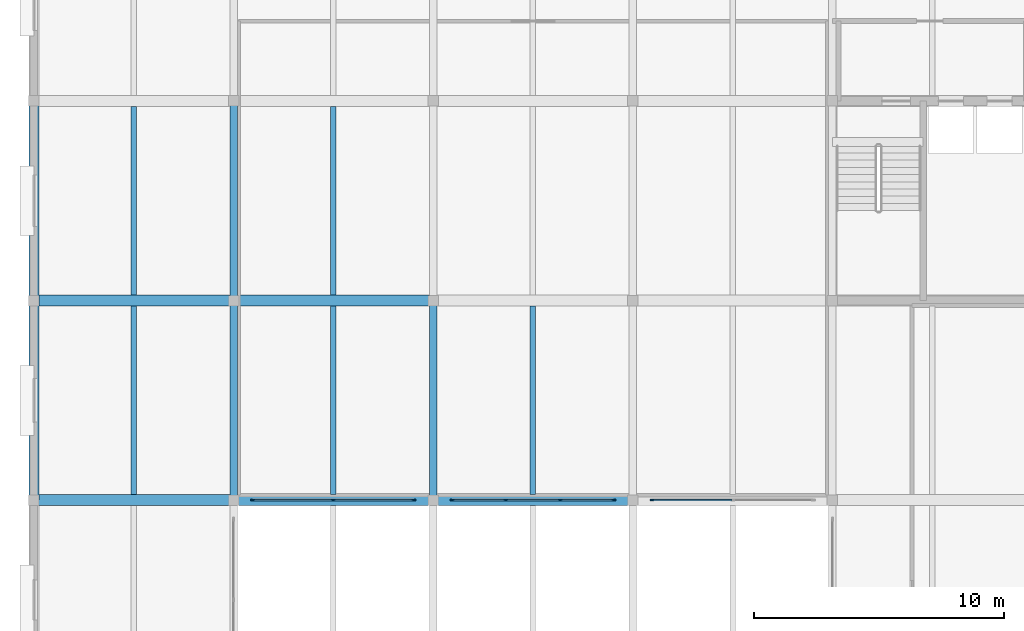
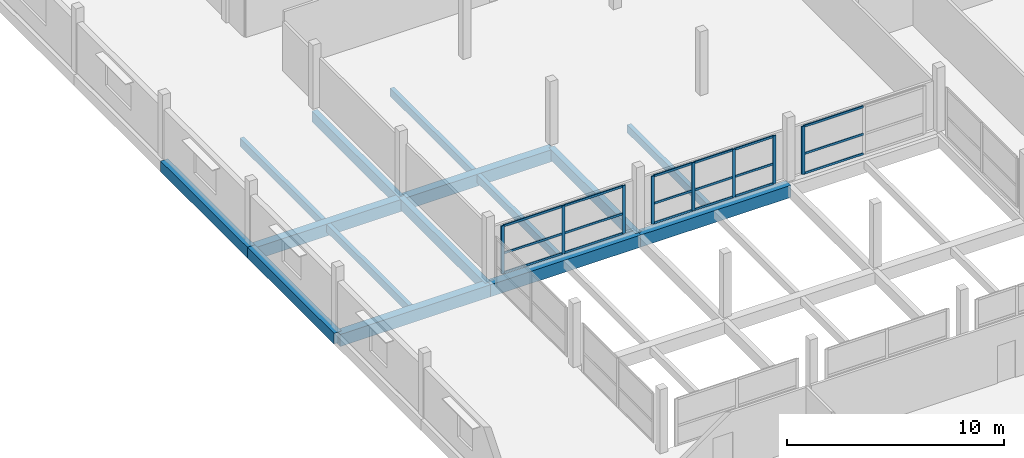
# One storey, part 11 of 51: 26 members, 15 beams, 3 elements without a shape of their own.
"""IFC4 building model written with IfcOpenShell, lengths in metres."""

import ifcopenshell
import ifcopenshell.guid

model = None  # the IFC model being written
_history = None  # IfcOwnerHistory: only IFC2X3 demands one
_inside = {}  # id of a spatial element -> (the spatial element, [elements in it])
_under = {}  # id of a project, library or spatial element -> (it, [spatial elements below it])
_declared = {}  # id of a project -> (the project, [libraries it declares])
_typed = {}  # id of a type object -> (the type object, [elements of that type])
_made_of = {}  # id of a material, layer set ... -> (it, [elements and type objects made of it])


def new_model(schema):
    """Start an empty IFC model of exactly this schema.

    Asked for "IFC4X3", IfcOpenShell would pick the latest addendum, in which some entities
    have other attributes; the version numbers below select the first issue.
    IFC2X3 requires an IfcOwnerHistory on every rooted entity: one is made here for all.
    """
    global model, _history
    if schema == "IFC4X3":
        model = ifcopenshell.file(schema_version=(4, 3, 0, 0))
    else:
        model = ifcopenshell.file(schema=schema)
    _inside.clear()
    _under.clear()
    _declared.clear()
    _typed.clear()
    _made_of.clear()
    _history = None
    if model.schema == "IFC2X3":
        org = make("IfcOrganization", Name="unknown")
        user = make(
            "IfcPersonAndOrganization",
            ThePerson=make("IfcPerson", FamilyName="unknown"),
            TheOrganization=org,
        )
        app = make(
            "IfcApplication",
            ApplicationDeveloper=org,
            Version="unknown",
            ApplicationFullName="unknown",
            ApplicationIdentifier="unknown",
        )
        _history = make(
            "IfcOwnerHistory",
            OwningUser=user,
            OwningApplication=app,
            ChangeAction="ADDED",
            CreationDate=0,
        )
    return model


def make(cls, **values):
    """One entity of the class cls with the attributes given. An attribute that is None is left unset."""
    return model.create_entity(
        cls, **{name: value for name, value in values.items() if value is not None}
    )


def rooted(cls, **values):
    """An entity with a GlobalId (a new one), such as an element, a storey or a relation."""
    return make(cls, GlobalId=ifcopenshell.guid.new(), OwnerHistory=_history, **values)


def si_unit(unit_type, name, prefix=None):
    """IfcSIUnit, for example si_unit("LENGTHUNIT", "METRE", prefix="MILLI")."""
    return make("IfcSIUnit", UnitType=unit_type, Prefix=prefix, Name=name)


def assignment(units):
    """IfcUnitAssignment: the units of a project."""
    return None if units is None else make("IfcUnitAssignment", Units=units)


def point(xyz):
    """IfcCartesianPoint."""
    return None if xyz is None else make("IfcCartesianPoint", Coordinates=xyz)


def direction(xyz):
    """IfcDirection."""
    return None if xyz is None else make("IfcDirection", DirectionRatios=xyz)


def frame(location, z_axis=None, x_axis=None):
    """IfcAxis2Placement3D, a coordinate frame: its origin and axes. An axis left out is left unset."""
    return make(
        "IfcAxis2Placement3D",
        Location=point(location),
        Axis=direction(z_axis),
        RefDirection=direction(x_axis),
    )


def frame_2d(location, x_axis=None):
    """IfcAxis2Placement2D, a coordinate frame in the plane: its origin and x axis."""
    return make(
        "IfcAxis2Placement2D", Location=point(location), RefDirection=direction(x_axis)
    )


def origin():
    """The frame at (0, 0, 0) with its axes left unset."""
    return frame((0.0, 0.0, 0.0))


def origin_2d():
    """The frame at (0, 0) in the plane with its x axis left unset."""
    return frame_2d((0.0, 0.0))


def place(relative_to, where):
    """IfcLocalPlacement: puts the frame where relative to a parent placement (None: the world)."""
    return make(
        "IfcLocalPlacement", PlacementRelTo=relative_to, RelativePlacement=where
    )


def context(
    kind, dimensions, precision=None, world=None, true_north=None, identifier=None
):
    """IfcGeometricRepresentationContext, for example the 3D "Model" context."""
    return make(
        "IfcGeometricRepresentationContext",
        ContextIdentifier=identifier,
        ContextType=kind,
        CoordinateSpaceDimension=dimensions,
        Precision=precision,
        WorldCoordinateSystem=world,
        TrueNorth=true_north,
    )


def subcontext(parent, identifier, kind, view, scale=None):
    """IfcGeometricRepresentationSubContext, for example "Body" below "Model"."""
    return make(
        "IfcGeometricRepresentationSubContext",
        ContextIdentifier=identifier,
        ContextType=kind,
        ParentContext=parent,
        TargetScale=scale,
        TargetView=view,
    )


def project(units=None, contexts=None):
    """IfcProject with its units and contexts."""
    return rooted(
        "IfcProject",
        Name="project",
        RepresentationContexts=contexts,
        UnitsInContext=assignment(units),
    )


def spatial(cls, under=None, at=None, **own):
    """A site, building, storey or space (cls), placed at a placement, below another one or the project."""
    s = rooted(cls, ObjectPlacement=at, **own)
    if under is not None:
        _under.setdefault(under.id(), (under, []))[1].append(s)
    return s


def profile(cls, at=None, kind="AREA", **sizes):
    """A parametric profile (cls). Its sizes go by their IFC names, for example OverallWidth=200.0."""
    return make(cls, ProfileType=kind, Position=at, **sizes)


def rectangle(**sizes):
    """IfcRectangleProfileDef."""
    return profile("IfcRectangleProfileDef", **sizes)


def extrude(swept, where, along, depth):
    """IfcExtrudedAreaSolid: the profile swept, set in the frame where, extruded along a direction by depth."""
    return make(
        "IfcExtrudedAreaSolid",
        SweptArea=swept,
        Position=where,
        ExtrudedDirection=direction(along),
        Depth=depth,
    )


def shape(context_of_items, identifier, shape_type, items):
    """IfcShapeRepresentation: the items that make up one representation, for example the "Body"."""
    return make(
        "IfcShapeRepresentation",
        ContextOfItems=context_of_items,
        RepresentationIdentifier=identifier,
        RepresentationType=shape_type,
        Items=items,
    )


def material(Name=None, Category=None):
    """IfcMaterial."""
    return make("IfcMaterial", Name=Name, Category=Category)


def material_profile(
    of_material, cross_section, Name=None, Category=None, Priority=None
):
    """IfcMaterialProfile: a cross section and its material."""
    return make(
        "IfcMaterialProfile",
        Name=Name,
        Material=of_material,
        Profile=cross_section,
        Priority=Priority,
        Category=Category,
    )


def profile_set(profiles, Name=None, composite=None):
    """IfcMaterialProfileSet."""
    return make(
        "IfcMaterialProfileSet",
        Name=Name,
        MaterialProfiles=profiles,
        CompositeProfile=composite,
    )


def made_of(thing, what):
    """Note that an element or type object is made of a material, layer set ...; save() writes the relation."""
    if what is not None:
        _made_of.setdefault(what.id(), (what, []))[1].append(thing)
    return thing


def type_object(cls, material=None, **own):
    """A type object (cls), such as IfcWallType, which elements share."""
    return made_of(rooted(cls, **own), material)


def element(
    cls,
    number,
    at=None,
    inside=None,
    cuts=None,
    type_object=None,
    material=None,
    context=None,
    identifier="Body",
    shape_type=None,
    held_by="IfcProductDefinitionShape",
    body=None,
    shapes=None,
    **own,
):
    """One element of the class cls, such as IfcWall. Its Tag is "e" and its number.

    at: its placement. inside: the storey or other place that contains it. cuts: it is an
    opening in that element (IfcRelVoidsElement). A single representation is given by context,
    identifier, shape_type and body (its items); several are given by shapes. held_by: the class
    of the entity that holds the representations. save() writes the other relations.
    """
    e = rooted(cls, Tag="e%d" % number, ObjectPlacement=at, **own)
    if body is not None:
        shapes = [shape(context, identifier, shape_type, body)]
    if shapes is not None:
        e.Representation = make(held_by, Representations=shapes)
    if inside is not None:
        _inside.setdefault(inside.id(), (inside, []))[1].append(e)
    if cuts is not None:
        rooted(
            "IfcRelVoidsElement", RelatingBuildingElement=cuts, RelatedOpeningElement=e
        )
    if type_object is not None:
        _typed.setdefault(type_object.id(), (type_object, []))[1].append(e)
    return made_of(e, material)


def aggregate(whole, parts):
    """IfcRelAggregates: a whole, such as a stair, and the parts it consists of."""
    return rooted("IfcRelAggregates", RelatingObject=whole, RelatedObjects=parts)


def save(model, path):
    """Write the relations noted so far, then the file.

    IfcRelAggregates (storeys below a building ...), IfcRelContainedInSpatialStructure (elements
    in a storey), IfcRelDefinesByType, IfcRelAssociatesMaterial and IfcRelDeclares: one each for
    every whole, place, type object, material and project.
    """
    for whole, parts in _under.values():
        aggregate(whole, parts)
    for where, things in _inside.values():
        rooted(
            "IfcRelContainedInSpatialStructure",
            RelatedElements=things,
            RelatingStructure=where,
        )
    for kind, things in _typed.values():
        rooted("IfcRelDefinesByType", RelatedObjects=things, RelatingType=kind)
    for what, things in _made_of.values():
        rooted("IfcRelAssociatesMaterial", RelatedObjects=things, RelatingMaterial=what)
    for by, libraries in _declared.values():
        rooted("IfcRelDeclares", RelatingContext=by, RelatedDefinitions=libraries)
    model.write(path)


model = new_model("IFC4")

# Units and contexts
model_context = context("Model", 3, precision=1e-05, world=origin(), true_north=direction((0.0, 1.0)))
body_context = subcontext(model_context, "Body", "Model", "MODEL_VIEW")
ifc_project = project(units=[si_unit("LENGTHUNIT", "METRE"), si_unit("AREAUNIT", "SQUARE_METRE"), si_unit("VOLUMEUNIT", "CUBIC_METRE"), si_unit("PLANEANGLEUNIT", "RADIAN"), si_unit("MASSUNIT", "GRAM", prefix="KILO")], contexts=[model_context])

# Site, building, storey
site_placement = place(None, origin())
site = spatial("IfcSite", under=ifc_project, at=site_placement, CompositionType="ELEMENT")
building_placement = place(site_placement, origin())
building = spatial("IfcBuilding", under=site, at=building_placement, Name="Vharandega Faculty of Natural Sciences", CompositionType="ELEMENT")
storey_placement = place(building_placement, frame((0.0, 0.0, 14.39990234375)))
storey = spatial("IfcBuildingStorey", under=building, at=storey_placement, Name="L03", CompositionType="ELEMENT", Elevation=14.39990234375)

# Curtain wall, members
ifc_material_1 = material(Name="Aluminium and solar-control glass curtain wall", Category="aluminium")
curtain_wall_type_1 = type_object("IfcCurtainWallType", Name="Unitised Curtain Wall System CW-23", PredefinedType="NOTDEFINED", material=ifc_material_1)
curtain_wall_1_placement = place(storey_placement, origin())
curtain_wall_1 = element("IfcCurtainWall", 1, at=curtain_wall_1_placement, inside=storey, type_object=curtain_wall_type_1, Name="Curtain Wall CW-L03-162", PredefinedType="NOTDEFINED")
ifc_material_2 = material(Name="Thermally broken aluminium 6063-T6", Category="aluminium")
ifc_material_profile_1 = material_profile(ifc_material_2, rectangle(XDim=0.06005859375, YDim=0.159912109375, at=origin_2d()), Name="ALU 60x160")
ifc_profile_set_1 = profile_set([ifc_material_profile_1], Name="Thermally broken aluminium 6063-T6")
member_type_1 = type_object("IfcMemberType", Name="CW Mullion 60x160", PredefinedType="MULLION", material=ifc_profile_set_1)
member_1_placement = place(storey_placement, frame((8.77001953125, 32.0, 0.0), z_axis=(0.0, 0.0, 1.0), x_axis=(0.0, 1.0, 0.0)))
member_1 = element("IfcMember", 2, at=member_1_placement, type_object=member_type_1, Name="CW-23 mullion 1", PredefinedType="MULLION", context=body_context, shape_type="SweptSolid", body=[
    extrude(rectangle(XDim=0.06005859375, YDim=0.159912109375, at=origin_2d()), origin(), (0.0, 0.0, 1.0), 2.7001953125),
])
member_2_placement = place(storey_placement, frame((12.0, 32.0, 0.0), z_axis=(0.0, 0.0, 1.0), x_axis=(0.0, 1.0, 0.0)))
member_2 = element("IfcMember", 3, at=member_2_placement, type_object=member_type_1, Name="CW-23 mullion 2", PredefinedType="MULLION", context=body_context, shape_type="SweptSolid", body=[
    extrude(rectangle(XDim=0.06005859375, YDim=0.159912109375, at=origin_2d()), origin(), (0.0, 0.0, 1.0), 2.7001953125),
])
member_3_placement = place(storey_placement, frame((15.22998046875, 32.0, 0.0), z_axis=(0.0, 0.0, 1.0), x_axis=(0.0, 1.0, 0.0)))
member_3 = element("IfcMember", 4, at=member_3_placement, type_object=member_type_1, Name="CW-23 mullion 3", PredefinedType="MULLION", context=body_context, shape_type="SweptSolid", body=[
    extrude(rectangle(XDim=0.06005859375, YDim=0.159912109375, at=origin_2d()), origin(), (0.0, 0.0, 1.0), 2.7001953125),
])

ifc_material_3 = material(Name="Aluminium and solar-control glass curtain wall", Category="aluminium")
curtain_wall_type_2 = type_object("IfcCurtainWallType", Name="Unitised Curtain Wall System CW-25", PredefinedType="NOTDEFINED", material=ifc_material_3)
curtain_wall_2_placement = place(storey_placement, origin())
curtain_wall_2 = element("IfcCurtainWall", 5, at=curtain_wall_2_placement, inside=storey, type_object=curtain_wall_type_2, Name="Curtain Wall CW-L03-164", PredefinedType="NOTDEFINED")
member_4_placement = place(storey_placement, frame((16.77001953125, 32.0, 0.0), z_axis=(0.0, 0.0, 1.0), x_axis=(0.0, 1.0, 0.0)))
member_4 = element("IfcMember", 6, at=member_4_placement, type_object=member_type_1, Name="CW-25 mullion 1", PredefinedType="MULLION", context=body_context, shape_type="SweptSolid", body=[
    extrude(rectangle(XDim=0.06005859375, YDim=0.159912109375, at=origin_2d()), origin(), (0.0, 0.0, 1.0), 2.7001953125),
])
member_5_placement = place(storey_placement, frame((18.913330078125, 32.0, 0.0), z_axis=(0.0, 0.0, 1.0), x_axis=(0.0, 1.0, 0.0)))
member_5 = element("IfcMember", 7, at=member_5_placement, type_object=member_type_1, Name="CW-25 mullion 2", PredefinedType="MULLION", context=body_context, shape_type="SweptSolid", body=[
    extrude(rectangle(XDim=0.06005859375, YDim=0.159912109375, at=origin_2d()), origin(), (0.0, 0.0, 1.0), 2.7001953125),
])
member_6_placement = place(storey_placement, frame((21.086669921875, 32.0, 0.0), z_axis=(0.0, 0.0, 1.0), x_axis=(0.0, 1.0, 0.0)))
member_6 = element("IfcMember", 8, at=member_6_placement, type_object=member_type_1, Name="CW-25 mullion 3", PredefinedType="MULLION", context=body_context, shape_type="SweptSolid", body=[
    extrude(rectangle(XDim=0.06005859375, YDim=0.159912109375, at=origin_2d()), origin(), (0.0, 0.0, 1.0), 2.7001953125),
])
member_7_placement = place(storey_placement, frame((23.22998046875, 32.0, 0.0), z_axis=(0.0, 0.0, 1.0), x_axis=(0.0, 1.0, 0.0)))
member_7 = element("IfcMember", 9, at=member_7_placement, type_object=member_type_1, Name="CW-25 mullion 4", PredefinedType="MULLION", context=body_context, shape_type="SweptSolid", body=[
    extrude(rectangle(XDim=0.06005859375, YDim=0.159912109375, at=origin_2d()), origin(), (0.0, 0.0, 1.0), 2.7001953125),
])

# Curtain wall, member
ifc_material_4 = material(Name="Aluminium and solar-control glass curtain wall", Category="aluminium")
curtain_wall_type_3 = type_object("IfcCurtainWallType", Name="Unitised Curtain Wall System CW-27", PredefinedType="NOTDEFINED", material=ifc_material_4)
curtain_wall_3_placement = place(storey_placement, origin())
curtain_wall_3 = element("IfcCurtainWall", 10, at=curtain_wall_3_placement, inside=storey, type_object=curtain_wall_type_3, Name="Curtain Wall CW-L03-166", PredefinedType="NOTDEFINED")
member_8_placement = place(storey_placement, frame((24.77001953125, 32.0, 0.0), z_axis=(0.0, 0.0, 1.0), x_axis=(0.0, 1.0, 0.0)))
member_8 = element("IfcMember", 11, at=member_8_placement, type_object=member_type_1, Name="CW-27 mullion 1", PredefinedType="MULLION", context=body_context, shape_type="SweptSolid", body=[
    extrude(rectangle(XDim=0.06005859375, YDim=0.159912109375, at=origin_2d()), origin(), (0.0, 0.0, 1.0), 2.7001953125),
])

# Member
ifc_material_5 = material(Name="Thermally broken aluminium 6063-T6", Category="aluminium")
ifc_material_profile_2 = material_profile(ifc_material_5, rectangle(XDim=0.06005859375, YDim=0.1201171875, at=origin_2d()), Name="ALU 60x120")
ifc_profile_set_2 = profile_set([ifc_material_profile_2], Name="Thermally broken aluminium 6063-T6")
member_type_2 = type_object("IfcMemberType", Name="CW Transom 60x120", PredefinedType="USERDEFINED", material=ifc_profile_set_2)
member_9_placement = place(storey_placement, frame((8.800048828125, 32.0, 0.030029296875), z_axis=(1.0, 0.0, 0.0), x_axis=(0.0, 1.0, 0.0)))
member_9 = element("IfcMember", 12, at=member_9_placement, type_object=member_type_2, Name="CW-23 transom 1.1", ObjectType="TRANSOM", PredefinedType="USERDEFINED", context=body_context, shape_type="SweptSolid", body=[
    extrude(rectangle(XDim=0.06005859375, YDim=0.1201171875, at=origin_2d()), origin(), (0.0, 0.0, 1.0), 3.169921875),
])

member_10_placement = place(storey_placement, frame((8.800048828125, 32.0, 1.134033203125), z_axis=(1.0, 0.0, 0.0), x_axis=(0.0, 1.0, 0.0)))
member_10 = element("IfcMember", 13, at=member_10_placement, type_object=member_type_2, Name="CW-23 transom 1.2", ObjectType="TRANSOM", PredefinedType="USERDEFINED", context=body_context, shape_type="SweptSolid", body=[
    extrude(rectangle(XDim=0.06005859375, YDim=0.1201171875, at=origin_2d()), origin(), (0.0, 0.0, 1.0), 3.169921875),
])

member_11_placement = place(storey_placement, frame((8.800048828125, 32.0, 2.670166015625), z_axis=(1.0, 0.0, 0.0), x_axis=(0.0, 1.0, 0.0)))
member_11 = element("IfcMember", 14, at=member_11_placement, type_object=member_type_2, Name="CW-23 transom 1.3", ObjectType="TRANSOM", PredefinedType="USERDEFINED", context=body_context, shape_type="SweptSolid", body=[
    extrude(rectangle(XDim=0.06005859375, YDim=0.1201171875, at=origin_2d()), origin(), (0.0, 0.0, 1.0), 3.169921875),
])

member_12_placement = place(storey_placement, frame((12.030029296875, 32.0, 0.030029296875), z_axis=(1.0, 0.0, 0.0), x_axis=(0.0, 1.0, 0.0)))
member_12 = element("IfcMember", 15, at=member_12_placement, type_object=member_type_2, Name="CW-23 transom 2.1", ObjectType="TRANSOM", PredefinedType="USERDEFINED", context=body_context, shape_type="SweptSolid", body=[
    extrude(rectangle(XDim=0.06005859375, YDim=0.1201171875, at=origin_2d()), origin(), (0.0, 0.0, 1.0), 3.169921875),
])

member_13_placement = place(storey_placement, frame((12.030029296875, 32.0, 1.134033203125), z_axis=(1.0, 0.0, 0.0), x_axis=(0.0, 1.0, 0.0)))
member_13 = element("IfcMember", 16, at=member_13_placement, type_object=member_type_2, Name="CW-23 transom 2.2", ObjectType="TRANSOM", PredefinedType="USERDEFINED", context=body_context, shape_type="SweptSolid", body=[
    extrude(rectangle(XDim=0.06005859375, YDim=0.1201171875, at=origin_2d()), origin(), (0.0, 0.0, 1.0), 3.169921875),
])

member_14_placement = place(storey_placement, frame((12.030029296875, 32.0, 2.670166015625), z_axis=(1.0, 0.0, 0.0), x_axis=(0.0, 1.0, 0.0)))
member_14 = element("IfcMember", 17, at=member_14_placement, type_object=member_type_2, Name="CW-23 transom 2.3", ObjectType="TRANSOM", PredefinedType="USERDEFINED", context=body_context, shape_type="SweptSolid", body=[
    extrude(rectangle(XDim=0.06005859375, YDim=0.1201171875, at=origin_2d()), origin(), (0.0, 0.0, 1.0), 3.169921875),
])

aggregate(curtain_wall_1, [member_1, member_2, member_3, member_9, member_10, member_11, member_12, member_13, member_14])

member_15_placement = place(storey_placement, frame((16.800048828125, 32.0, 0.030029296875), z_axis=(1.0, 0.0, 0.0), x_axis=(0.0, 1.0, 0.0)))
member_15 = element("IfcMember", 18, at=member_15_placement, type_object=member_type_2, Name="CW-25 transom 1.1", ObjectType="TRANSOM", PredefinedType="USERDEFINED", context=body_context, shape_type="SweptSolid", body=[
    extrude(rectangle(XDim=0.06005859375, YDim=0.1201171875, at=origin_2d()), origin(), (0.0, 0.0, 1.0), 2.083251953125),
])

member_16_placement = place(storey_placement, frame((16.800048828125, 32.0, 1.134033203125), z_axis=(1.0, 0.0, 0.0), x_axis=(0.0, 1.0, 0.0)))
member_16 = element("IfcMember", 19, at=member_16_placement, type_object=member_type_2, Name="CW-25 transom 1.2", ObjectType="TRANSOM", PredefinedType="USERDEFINED", context=body_context, shape_type="SweptSolid", body=[
    extrude(rectangle(XDim=0.06005859375, YDim=0.1201171875, at=origin_2d()), origin(), (0.0, 0.0, 1.0), 2.083251953125),
])

member_17_placement = place(storey_placement, frame((16.800048828125, 32.0, 2.670166015625), z_axis=(1.0, 0.0, 0.0), x_axis=(0.0, 1.0, 0.0)))
member_17 = element("IfcMember", 20, at=member_17_placement, type_object=member_type_2, Name="CW-25 transom 1.3", ObjectType="TRANSOM", PredefinedType="USERDEFINED", context=body_context, shape_type="SweptSolid", body=[
    extrude(rectangle(XDim=0.06005859375, YDim=0.1201171875, at=origin_2d()), origin(), (0.0, 0.0, 1.0), 2.083251953125),
])

member_18_placement = place(storey_placement, frame((18.943359375, 32.0, 0.030029296875), z_axis=(1.0, 0.0, 0.0), x_axis=(0.0, 1.0, 0.0)))
member_18 = element("IfcMember", 21, at=member_18_placement, type_object=member_type_2, Name="CW-25 transom 2.1", ObjectType="TRANSOM", PredefinedType="USERDEFINED", context=body_context, shape_type="SweptSolid", body=[
    extrude(rectangle(XDim=0.06005859375, YDim=0.1201171875, at=origin_2d()), origin(), (0.0, 0.0, 1.0), 2.11328125),
])

member_19_placement = place(storey_placement, frame((18.943359375, 32.0, 1.134033203125), z_axis=(1.0, 0.0, 0.0), x_axis=(0.0, 1.0, 0.0)))
member_19 = element("IfcMember", 22, at=member_19_placement, type_object=member_type_2, Name="CW-25 transom 2.2", ObjectType="TRANSOM", PredefinedType="USERDEFINED", context=body_context, shape_type="SweptSolid", body=[
    extrude(rectangle(XDim=0.06005859375, YDim=0.1201171875, at=origin_2d()), origin(), (0.0, 0.0, 1.0), 2.11328125),
])

member_20_placement = place(storey_placement, frame((18.943359375, 32.0, 2.670166015625), z_axis=(1.0, 0.0, 0.0), x_axis=(0.0, 1.0, 0.0)))
member_20 = element("IfcMember", 23, at=member_20_placement, type_object=member_type_2, Name="CW-25 transom 2.3", ObjectType="TRANSOM", PredefinedType="USERDEFINED", context=body_context, shape_type="SweptSolid", body=[
    extrude(rectangle(XDim=0.06005859375, YDim=0.1201171875, at=origin_2d()), origin(), (0.0, 0.0, 1.0), 2.11328125),
])

member_21_placement = place(storey_placement, frame((21.11669921875, 32.0, 0.030029296875), z_axis=(1.0, 0.0, 0.0), x_axis=(0.0, 1.0, 0.0)))
member_21 = element("IfcMember", 24, at=member_21_placement, type_object=member_type_2, Name="CW-25 transom 3.1", ObjectType="TRANSOM", PredefinedType="USERDEFINED", context=body_context, shape_type="SweptSolid", body=[
    extrude(rectangle(XDim=0.06005859375, YDim=0.1201171875, at=origin_2d()), origin(), (0.0, 0.0, 1.0), 2.083251953125),
])

member_22_placement = place(storey_placement, frame((21.11669921875, 32.0, 1.134033203125), z_axis=(1.0, 0.0, 0.0), x_axis=(0.0, 1.0, 0.0)))
member_22 = element("IfcMember", 25, at=member_22_placement, type_object=member_type_2, Name="CW-25 transom 3.2", ObjectType="TRANSOM", PredefinedType="USERDEFINED", context=body_context, shape_type="SweptSolid", body=[
    extrude(rectangle(XDim=0.06005859375, YDim=0.1201171875, at=origin_2d()), origin(), (0.0, 0.0, 1.0), 2.083251953125),
])

member_23_placement = place(storey_placement, frame((21.11669921875, 32.0, 2.670166015625), z_axis=(1.0, 0.0, 0.0), x_axis=(0.0, 1.0, 0.0)))
member_23 = element("IfcMember", 26, at=member_23_placement, type_object=member_type_2, Name="CW-25 transom 3.3", ObjectType="TRANSOM", PredefinedType="USERDEFINED", context=body_context, shape_type="SweptSolid", body=[
    extrude(rectangle(XDim=0.06005859375, YDim=0.1201171875, at=origin_2d()), origin(), (0.0, 0.0, 1.0), 2.083251953125),
])

aggregate(curtain_wall_2, [member_4, member_5, member_6, member_7, member_15, member_16, member_17, member_18, member_19, member_20, member_21, member_22, member_23])

member_24_placement = place(storey_placement, frame((24.800048828125, 32.0, 0.030029296875), z_axis=(1.0, 0.0, 0.0), x_axis=(0.0, 1.0, 0.0)))
member_24 = element("IfcMember", 27, at=member_24_placement, type_object=member_type_2, Name="CW-27 transom 1.1", ObjectType="TRANSOM", PredefinedType="USERDEFINED", context=body_context, shape_type="SweptSolid", body=[
    extrude(rectangle(XDim=0.06005859375, YDim=0.1201171875, at=origin_2d()), origin(), (0.0, 0.0, 1.0), 3.169921875),
])

member_25_placement = place(storey_placement, frame((24.800048828125, 32.0, 1.134033203125), z_axis=(1.0, 0.0, 0.0), x_axis=(0.0, 1.0, 0.0)))
member_25 = element("IfcMember", 28, at=member_25_placement, type_object=member_type_2, Name="CW-27 transom 1.2", ObjectType="TRANSOM", PredefinedType="USERDEFINED", context=body_context, shape_type="SweptSolid", body=[
    extrude(rectangle(XDim=0.06005859375, YDim=0.1201171875, at=origin_2d()), origin(), (0.0, 0.0, 1.0), 3.169921875),
])

member_26_placement = place(storey_placement, frame((24.800048828125, 32.0, 2.670166015625), z_axis=(1.0, 0.0, 0.0), x_axis=(0.0, 1.0, 0.0)))
member_26 = element("IfcMember", 29, at=member_26_placement, type_object=member_type_2, Name="CW-27 transom 1.3", ObjectType="TRANSOM", PredefinedType="USERDEFINED", context=body_context, shape_type="SweptSolid", body=[
    extrude(rectangle(XDim=0.06005859375, YDim=0.1201171875, at=origin_2d()), origin(), (0.0, 0.0, 1.0), 3.169921875),
])

aggregate(curtain_wall_3, [member_8, member_24, member_25, member_26])

# Beams
ifc_material_6 = material(Name="Glulam GL28h", Category="wood")
ifc_material_profile_3 = material_profile(ifc_material_6, rectangle(XDim=0.300048828125, YDim=0.60009765625, at=origin_2d()), Name="GL28h 300x600")
ifc_profile_set_3 = profile_set([ifc_material_profile_3], Name="Glulam GL28h")
beam_type_1 = type_object("IfcBeamType", Name="Glulam Floor Beam 300x600", PredefinedType="BEAM", material=ifc_profile_set_3)
for number, where, z_axis, x_axis, name in (
    (30, (8.0, 32.0, -0.539794921875), (0.0, 1.0, 0.0), (-1.0, 0.0, 0.0), "Beam L03 2/E-F"),
    (31, (8.0, 40.0, -0.539794921875), (0.0, 1.0, 0.0), (-1.0, 0.0, 0.0), "Beam L03 2/F-G"),
    (32, (16.0, 32.0, -0.539794921875), (0.0, 1.0, 0.0), (-1.0, 0.0, 0.0), "Beam L03 3/E-F"),
):
    element("IfcBeam", number, at=place(storey_placement, frame(where, z_axis=z_axis, x_axis=x_axis)), inside=storey, type_object=beam_type_1, Name=name, PredefinedType="BEAM", context=body_context, shape_type="SweptSolid", body=[
        extrude(rectangle(XDim=0.300048828125, YDim=0.60009765625, at=origin_2d()), origin(), (0.0, 0.0, 1.0), 8.0),
    ])
ifc_material_7 = material(Name="Glulam GL32h", Category="wood")
ifc_material_profile_4 = material_profile(ifc_material_7, rectangle(XDim=0.43994140625, YDim=0.679931640625, at=origin_2d()), Name="GL32h 440x680")
ifc_profile_set_4 = profile_set([ifc_material_profile_4], Name="Glulam GL32h")
beam_type_2 = type_object("IfcBeamType", Name="Glulam Girder 440x680", PredefinedType="BEAM", material=ifc_profile_set_4)
for number, where, z_axis, x_axis, name in (
    (33, (0.0, 32.0, -0.579833984375), (1.0, 0.0, 0.0), (0.0, 1.0, 0.0), "Beam L03 E/1-2"),
    (34, (8.0, 32.0, -0.579833984375), (1.0, 0.0, 0.0), (0.0, 1.0, 0.0), "Beam L03 E/2-3"),
    (35, (16.0, 32.0, -0.579833984375), (1.0, 0.0, 0.0), (0.0, 1.0, 0.0), "Beam L03 E/3-4"),
    (36, (0.0, 40.0, -0.579833984375), (1.0, 0.0, 0.0), (0.0, 1.0, 0.0), "Beam L03 F/1-2"),
    (37, (8.0, 40.0, -0.579833984375), (1.0, 0.0, 0.0), (0.0, 1.0, 0.0), "Beam L03 F/2-3"),
):
    element("IfcBeam", number, at=place(storey_placement, frame(where, z_axis=z_axis, x_axis=x_axis)), inside=storey, type_object=beam_type_2, Name=name, PredefinedType="BEAM", context=body_context, shape_type="SweptSolid", body=[
        extrude(rectangle(XDim=0.43994140625, YDim=0.679931640625, at=origin_2d()), origin(), (0.0, 0.0, 1.0), 8.0),
    ])
ifc_material_8 = material(Name="Glulam GL28h", Category="wood")
ifc_material_profile_5 = material_profile(ifc_material_8, rectangle(XDim=0.219970703125, YDim=0.43994140625, at=origin_2d()), Name="GL28h 220x440")
ifc_profile_set_5 = profile_set([ifc_material_profile_5], Name="Glulam GL28h")
beam_type_3 = type_object("IfcBeamType", Name="Glulam Secondary Joist 220x440", PredefinedType="JOIST", material=ifc_profile_set_5)
for number, where, z_axis, x_axis, name in (
    (38, (4.0, 32.219970703125, -0.4599609375), (0.0, 1.0, 0.0), (-1.0, 0.0, 0.0), "Secondary Joist L03 1-2/E-F"),
    (39, (4.0, 40.219970703125, -0.4599609375), (0.0, 1.0, 0.0), (-1.0, 0.0, 0.0), "Secondary Joist L03 1-2/F-G"),
    (40, (12.0, 32.219970703125, -0.4599609375), (0.0, 1.0, 0.0), (-1.0, 0.0, 0.0), "Secondary Joist L03 2-3/E-F"),
    (41, (12.0, 40.219970703125, -0.4599609375), (0.0, 1.0, 0.0), (-1.0, 0.0, 0.0), "Secondary Joist L03 2-3/F-G"),
    (42, (20.0, 32.219970703125, -0.4599609375), (0.0, 1.0, 0.0), (-1.0, 0.0, 0.0), "Secondary Joist L03 3-4/E-F"),
):
    element("IfcBeam", number, at=place(storey_placement, frame(where, z_axis=z_axis, x_axis=x_axis)), inside=storey, type_object=beam_type_3, Name=name, PredefinedType="JOIST", context=body_context, shape_type="SweptSolid", body=[
        extrude(rectangle(XDim=0.219970703125, YDim=0.43994140625, at=origin_2d()), origin(), (0.0, 0.0, 1.0), 7.56005859375),
    ])
ifc_material_9 = material(Name="Glulam GL32h", Category="wood")
ifc_material_profile_6 = material_profile(ifc_material_9, rectangle(XDim=0.39990234375, YDim=0.60009765625, at=origin_2d()), Name="GL32h 400x600")
ifc_profile_set_6 = profile_set([ifc_material_profile_6], Name="Glulam GL32h")
beam_type_4 = type_object("IfcBeamType", Name="Glulam Spine Girder 400x600", PredefinedType="BEAM", material=ifc_profile_set_6)
for number, where, z_axis, x_axis, name in (
    (43, (0.0, 32.0, -0.539794921875), (0.0, 1.0, 0.0), (-1.0, 0.0, 0.0), "Beam L03 1/E-F"),
    (44, (0.0, 40.0, -0.539794921875), (0.0, 1.0, 0.0), (-1.0, 0.0, 0.0), "Beam L03 1/F-G"),
):
    element("IfcBeam", number, at=place(storey_placement, frame(where, z_axis=z_axis, x_axis=x_axis)), inside=storey, type_object=beam_type_4, Name=name, PredefinedType="BEAM", context=body_context, shape_type="SweptSolid", body=[
        extrude(rectangle(XDim=0.39990234375, YDim=0.60009765625, at=origin_2d()), origin(), (0.0, 0.0, 1.0), 8.0),
    ])

save(model, "model.ifc")
